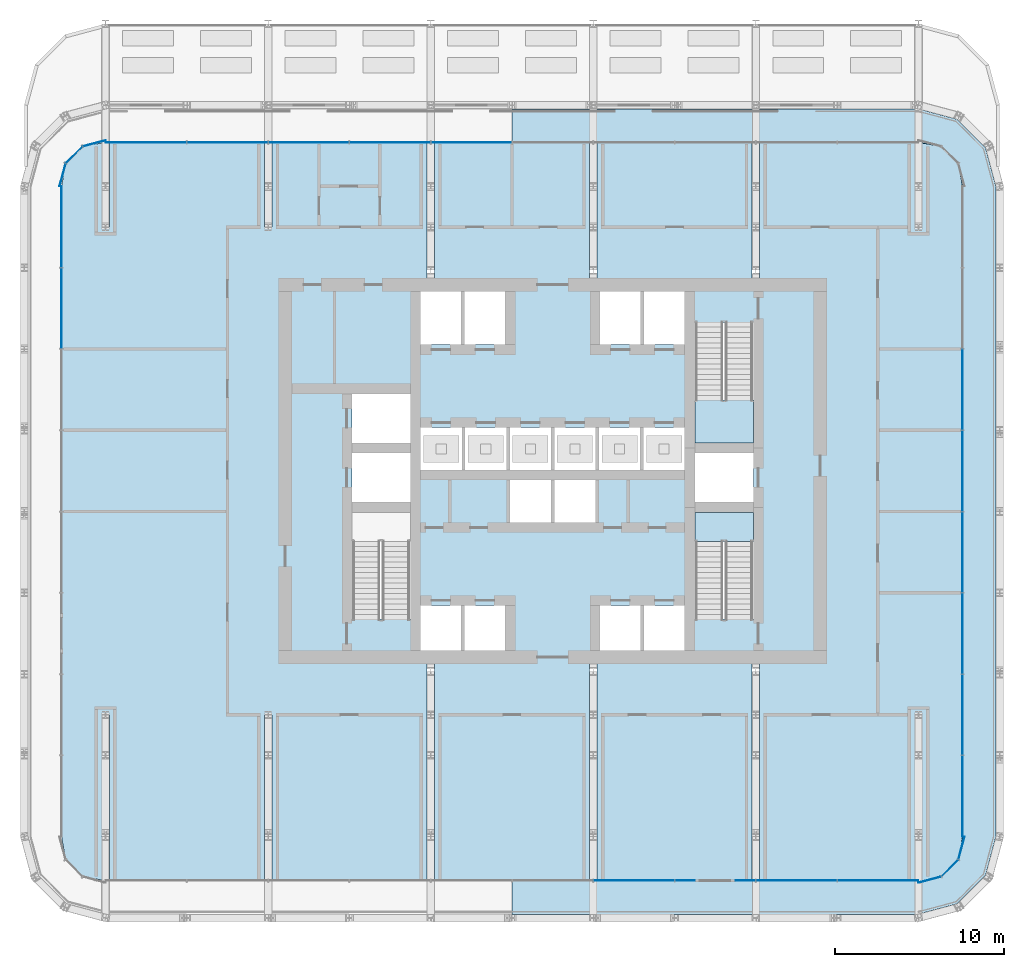
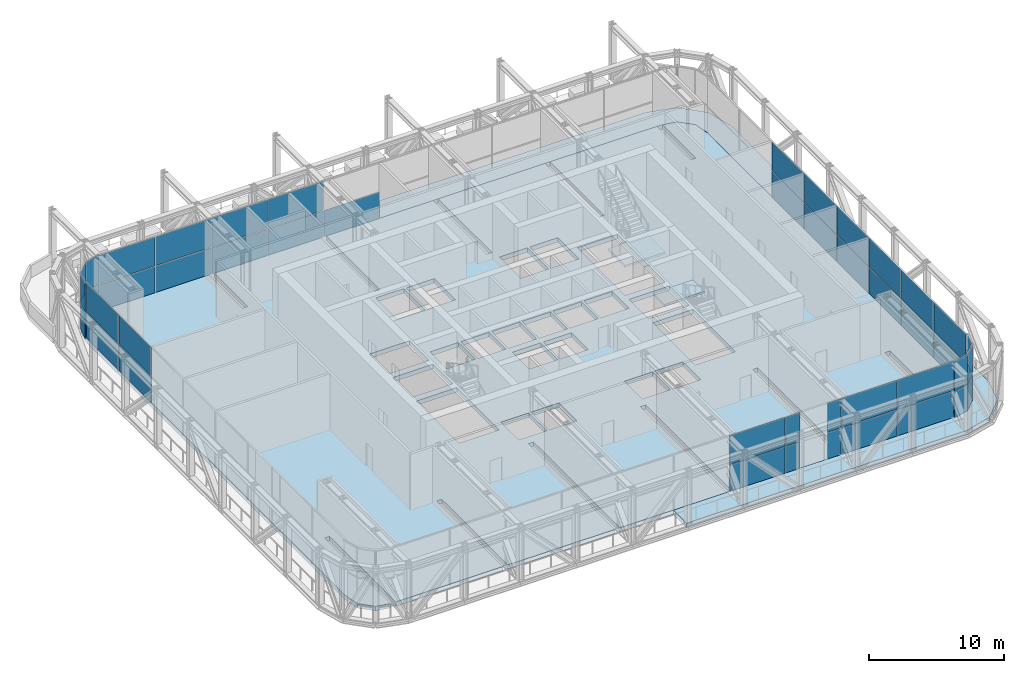
# One storey, part 14 of 27: 47 plates, 4 slabs, 8 elements without a shape of their own.
"""IFC4 building model written with IfcOpenShell, lengths in metres."""

from ifc_helpers import new_model, si_unit, direction, frame, origin, origin_2d, place, context, subcontext, project, spatial, polyline, rectangle, outline, extrude, material, layer, layer_set, type_object, element, aggregate, save


model = new_model("IFC4")

# Units and contexts
model_context = context("Model", 3, precision=1e-05, world=origin(), true_north=direction((0.0, 1.0)))
body_context = subcontext(model_context, "Body", "Model", "MODEL_VIEW")
ifc_project = project(units=[si_unit("LENGTHUNIT", "METRE"), si_unit("AREAUNIT", "SQUARE_METRE"), si_unit("VOLUMEUNIT", "CUBIC_METRE"), si_unit("PLANEANGLEUNIT", "RADIAN"), si_unit("MASSUNIT", "GRAM", prefix="KILO")], contexts=[model_context])

# Site, building, storey
site_placement = place(None, origin())
site = spatial("IfcSite", under=ifc_project, at=site_placement, CompositionType="ELEMENT")
building_placement = place(site_placement, origin())
building = spatial("IfcBuilding", under=site, at=building_placement, Name="Madar Terraces", CompositionType="ELEMENT")
storey_placement = place(building_placement, frame((0.0, 0.0, 143.60009765625)))
storey = spatial("IfcBuildingStorey", under=building, at=storey_placement, Name="L37", CompositionType="ELEMENT", Elevation=143.60009765625)

# Slab
ifc_material_1 = material(Name="Concrete C50/60", Category="concrete")
ifc_layer_1 = layer(ifc_material_1, 0.39990234375)
ifc_layer_set_1 = layer_set([ifc_layer_1], Name="FS6 PT flat slab 400")
slab_type_1 = type_object("IfcSlabType", Name="FS6 PT flat slab 400", PredefinedType="FLOOR", material=ifc_layer_set_1)
slab_1_placement = place(storey_placement, frame((0.0, 0.0, -0.400146484375)))
element("IfcSlab", 1, at=slab_1_placement, inside=storey, type_object=slab_type_1, Name="Floor slab L37 (1)", PredefinedType="FLOOR", context=body_context, shape_type="SweptSolid", body=[
    extrude(outline(polyline([(43.416015625, 15.0), (43.416015625, 2.199951171875), (52.583984375, 2.199951171875), (52.583984375, 12.0), (53.015869140625, 12.0), (53.015869140625, 2.23876953125), (54.159912109375, 2.4443359375), (55.155517578125, 3.43994140625), (55.39990234375, 4.800048828125), (55.39990234375, 43.199951171875), (55.155517578125, 44.56005859375), (54.159912109375, 45.5556640625), (53.015869140625, 45.76123046875), (53.015869140625, 40.800048828125), (52.583984375, 40.800048828125), (52.583984375, 45.800048828125), (43.416015625, 45.800048828125), (43.416015625, 37.800048828125), (42.984130859375, 37.800048828125), (42.984130859375, 45.800048828125), (33.81591796875, 45.800048828125), (33.81591796875, 37.800048828125), (33.384033203125, 37.800048828125), (33.384033203125, 45.800048828125), (24.2158203125, 45.800048828125), (24.2158203125, 37.800048828125), (23.7841796875, 37.800048828125), (23.7841796875, 45.800048828125), (14.615966796875, 45.800048828125), (14.615966796875, 40.800048828125), (14.18408203125, 40.800048828125), (14.18408203125, 45.800048828125), (5.015869140625, 45.800048828125), (5.015869140625, 40.800048828125), (4.583984375, 40.800048828125), (4.583984375, 45.76123046875), (3.43994140625, 45.5556640625), (2.4443359375, 44.56005859375), (2.199951171875, 43.199951171875), (2.199951171875, 4.800048828125), (2.4443359375, 3.43994140625), (3.43994140625, 2.4443359375), (4.583984375, 2.23876953125), (4.583984375, 12.0), (5.015869140625, 12.0), (5.015869140625, 2.199951171875), (14.18408203125, 2.199951171875), (14.18408203125, 12.0), (14.615966796875, 12.0), (14.615966796875, 2.199951171875), (23.7841796875, 2.199951171875), (23.7841796875, 15.0), (24.2158203125, 15.0), (24.2158203125, 2.199951171875), (33.384033203125, 2.199951171875), (33.384033203125, 15.0), (33.81591796875, 15.0), (33.81591796875, 2.199951171875), (42.984130859375, 2.199951171875), (42.984130859375, 15.0), (43.416015625, 15.0)]), holes=[polyline([(25.800048828125, 15.800048828125), (23.39990234375, 15.800048828125), (23.39990234375, 18.449951171875), (25.800048828125, 18.449951171875), (25.800048828125, 15.800048828125)]), polyline([(28.39990234375, 15.800048828125), (26.0, 15.800048828125), (26.0, 18.449951171875), (28.39990234375, 18.449951171875), (28.39990234375, 15.800048828125)]), polyline([(22.800048828125, 17.64990234375), (19.35009765625, 17.64990234375), (19.35009765625, 23.949951171875), (22.800048828125, 23.949951171875), (22.800048828125, 17.64990234375)]), polyline([(28.666748046875, 23.35009765625), (28.666748046875, 25.85009765625), (31.10009765625, 25.85009765625), (31.10009765625, 23.35009765625), (28.666748046875, 23.35009765625)]), polyline([(19.35009765625, 24.550048828125), (19.35009765625, 27.449951171875), (22.800048828125, 27.449951171875), (22.800048828125, 24.550048828125), (19.35009765625, 24.550048828125)]), polyline([(25.833251953125, 26.449951171875), (23.39990234375, 26.449951171875), (23.39990234375, 28.949951171875), (25.833251953125, 28.949951171875), (25.833251953125, 26.449951171875)]), polyline([(26.033447265625, 26.449951171875), (26.033447265625, 28.949951171875), (28.466552734375, 28.949951171875), (28.466552734375, 26.449951171875), (26.033447265625, 26.449951171875)]), polyline([(28.666748046875, 26.449951171875), (28.666748046875, 28.949951171875), (31.10009765625, 28.949951171875), (31.10009765625, 26.449951171875), (28.666748046875, 26.449951171875)]), polyline([(22.800048828125, 28.050048828125), (19.35009765625, 28.050048828125), (19.35009765625, 30.949951171875), (22.800048828125, 30.949951171875), (22.800048828125, 28.050048828125)]), polyline([(23.39990234375, 33.85009765625), (23.39990234375, 37.0), (25.800048828125, 37.0), (25.800048828125, 33.85009765625), (23.39990234375, 33.85009765625)]), polyline([(26.0, 33.85009765625), (26.0, 37.0), (28.39990234375, 37.0), (28.39990234375, 33.85009765625), (26.0, 33.85009765625)]), polyline([(36.39990234375, 15.800048828125), (34.0, 15.800048828125), (34.0, 18.449951171875), (36.39990234375, 18.449951171875), (36.39990234375, 15.800048828125)]), polyline([(39.0, 15.800048828125), (36.60009765625, 15.800048828125), (36.60009765625, 18.449951171875), (39.0, 18.449951171875), (39.0, 15.800048828125)]), polyline([(43.050048828125, 17.64990234375), (39.60009765625, 17.64990234375), (39.60009765625, 23.949951171875), (43.050048828125, 23.949951171875), (43.050048828125, 17.64990234375)]), polyline([(31.300048828125, 23.35009765625), (31.300048828125, 25.85009765625), (33.7333984375, 25.85009765625), (33.7333984375, 23.35009765625), (31.300048828125, 23.35009765625)]), polyline([(39.60009765625, 24.550048828125), (39.60009765625, 27.449951171875), (43.050048828125, 27.449951171875), (43.050048828125, 24.550048828125), (39.60009765625, 24.550048828125)]), polyline([(33.7333984375, 26.449951171875), (31.300048828125, 26.449951171875), (31.300048828125, 28.949951171875), (33.7333984375, 28.949951171875), (33.7333984375, 26.449951171875)]), polyline([(33.933349609375, 26.449951171875), (33.933349609375, 28.949951171875), (36.36669921875, 28.949951171875), (36.36669921875, 26.449951171875), (33.933349609375, 26.449951171875)]), polyline([(36.566650390625, 26.449951171875), (36.566650390625, 28.949951171875), (39.0, 28.949951171875), (39.0, 26.449951171875), (36.566650390625, 26.449951171875)]), polyline([(43.050048828125, 28.050048828125), (39.60009765625, 28.050048828125), (39.60009765625, 35.14990234375), (43.050048828125, 35.14990234375), (43.050048828125, 28.050048828125)]), polyline([(34.0, 33.85009765625), (34.0, 37.0), (36.39990234375, 37.0), (36.39990234375, 33.85009765625), (34.0, 33.85009765625)]), polyline([(36.60009765625, 33.85009765625), (36.60009765625, 37.0), (39.0, 37.0), (39.0, 33.85009765625), (36.60009765625, 33.85009765625)])]), origin(), (0.0, 0.0, 1.0), 0.400146484375),
])

# Curtain wall, plates
ifc_material_2 = material(Name="Glass, ceramic frit dark grey, with black aluminium frame", Category="aluminium")
ifc_layer_2 = layer(ifc_material_2, 0.199951171875)
ifc_layer_set_2 = layer_set([ifc_layer_2], Name="Facade curtain wall, tall glazing")
curtain_wall_type = type_object("IfcCurtainWallType", Name="Facade curtain wall, tall glazing", PredefinedType="NOTDEFINED", material=ifc_layer_set_2)
curtain_wall_1_placement = place(storey_placement, origin())
curtain_wall_1 = element("IfcCurtainWall", 2, at=curtain_wall_1_placement, inside=storey, type_object=curtain_wall_type, Name="Outer skin curtain wall south bay 1", PredefinedType="NOTDEFINED")
ifc_material_3 = material(Name="Glass, ceramic frit dark grey", Category="glass")
ifc_layer_3 = layer(ifc_material_3, 0.028076171875)
ifc_layer_set_3 = layer_set([ifc_layer_3], Name="Facade glass panel 28")
plate_type = type_object("IfcPlateType", Name="Facade glass panel 28", PredefinedType="CURTAIN_PANEL", material=ifc_layer_set_3)
plate_1_placement = place(storey_placement, frame((36.0, 2.199951171875, -0.000244140625), z_axis=(0.0, 0.0, 1.0), x_axis=(1.0, 0.0, 0.0)))
plate_1 = element("IfcPlate", 3, at=plate_1_placement, type_object=plate_type, Name="Panel 13", PredefinedType="CURTAIN_PANEL", context=body_context, shape_type="SweptSolid", body=[
    extrude(rectangle(XDim=4.739990234375, YDim=0.028076171875, at=origin_2d()), origin(), (0.0, 0.0, 1.0), 2.3701171875),
])
plate_2_placement = place(storey_placement, frame((36.0, 2.199951171875, 2.4296875), z_axis=(0.0, 0.0, 1.0), x_axis=(1.0, 0.0, 0.0)))
plate_2 = element("IfcPlate", 4, at=plate_2_placement, type_object=plate_type, Name="Panel 14", PredefinedType="CURTAIN_PANEL", context=body_context, shape_type="SweptSolid", body=[
    extrude(rectangle(XDim=4.739990234375, YDim=0.028076171875, at=origin_2d()), origin(), (0.0, 0.0, 1.0), 2.610107421875),
])
plate_3_placement = place(storey_placement, frame((39.014892578125, 2.199951171875, -0.000244140625), z_axis=(0.0, 0.0, 1.0), x_axis=(1.0, 0.0, 0.0)))
plate_3 = element("IfcPlate", 5, at=plate_3_placement, type_object=plate_type, Name="Panel 15", PredefinedType="CURTAIN_PANEL", context=body_context, shape_type="SweptSolid", body=[
    extrude(rectangle(XDim=1.169921875, YDim=0.028076171875, at=origin_2d()), origin(), (0.0, 0.0, 1.0), 2.3701171875),
])
plate_4_placement = place(storey_placement, frame((39.014892578125, 2.199951171875, 2.4296875), z_axis=(0.0, 0.0, 1.0), x_axis=(1.0, 0.0, 0.0)))
plate_4 = element("IfcPlate", 6, at=plate_4_placement, type_object=plate_type, Name="Panel 16", PredefinedType="CURTAIN_PANEL", context=body_context, shape_type="SweptSolid", body=[
    extrude(rectangle(XDim=1.169921875, YDim=0.028076171875, at=origin_2d()), origin(), (0.0, 0.0, 1.0), 2.610107421875),
])
plate_5_placement = place(storey_placement, frame((42.5849609375, 2.199951171875, -0.000244140625), z_axis=(0.0, 0.0, 1.0), x_axis=(1.0, 0.0, 0.0)))
plate_5 = element("IfcPlate", 7, at=plate_5_placement, type_object=plate_type, Name="Panel 17", PredefinedType="CURTAIN_PANEL", context=body_context, shape_type="SweptSolid", body=[
    extrude(rectangle(XDim=1.169921875, YDim=0.028076171875, at=origin_2d()), origin(), (0.0, 0.0, 1.0), 2.3701171875),
])
plate_6_placement = place(storey_placement, frame((42.5849609375, 2.199951171875, 2.4296875), z_axis=(0.0, 0.0, 1.0), x_axis=(1.0, 0.0, 0.0)))
plate_6 = element("IfcPlate", 8, at=plate_6_placement, type_object=plate_type, Name="Panel 18", PredefinedType="CURTAIN_PANEL", context=body_context, shape_type="SweptSolid", body=[
    extrude(rectangle(XDim=1.169921875, YDim=0.028076171875, at=origin_2d()), origin(), (0.0, 0.0, 1.0), 2.610107421875),
])
plate_7_placement = place(storey_placement, frame((45.60009765625, 2.199951171875, -0.000244140625), z_axis=(0.0, 0.0, 1.0), x_axis=(1.0, 0.0, 0.0)))
plate_7 = element("IfcPlate", 9, at=plate_7_placement, type_object=plate_type, Name="Panel 19", PredefinedType="CURTAIN_PANEL", context=body_context, shape_type="SweptSolid", body=[
    extrude(rectangle(XDim=4.739990234375, YDim=0.028076171875, at=origin_2d()), origin(), (0.0, 0.0, 1.0), 2.3701171875),
])
plate_8_placement = place(storey_placement, frame((45.60009765625, 2.199951171875, 2.4296875), z_axis=(0.0, 0.0, 1.0), x_axis=(1.0, 0.0, 0.0)))
plate_8 = element("IfcPlate", 10, at=plate_8_placement, type_object=plate_type, Name="Panel 20", PredefinedType="CURTAIN_PANEL", context=body_context, shape_type="SweptSolid", body=[
    extrude(rectangle(XDim=4.739990234375, YDim=0.028076171875, at=origin_2d()), origin(), (0.0, 0.0, 1.0), 2.610107421875),
])
plate_9_placement = place(storey_placement, frame((50.4150390625, 2.199951171875, -0.000244140625), z_axis=(0.0, 0.0, 1.0), x_axis=(1.0, 0.0, 0.0)))
plate_9 = element("IfcPlate", 11, at=plate_9_placement, type_object=plate_type, Name="Panel 21", PredefinedType="CURTAIN_PANEL", context=body_context, shape_type="SweptSolid", body=[
    extrude(rectangle(XDim=4.77001953125, YDim=0.028076171875, at=origin_2d()), origin(), (0.0, 0.0, 1.0), 2.3701171875),
])
plate_10_placement = place(storey_placement, frame((50.4150390625, 2.199951171875, 2.4296875), z_axis=(0.0, 0.0, 1.0), x_axis=(1.0, 0.0, 0.0)))
plate_10 = element("IfcPlate", 12, at=plate_10_placement, type_object=plate_type, Name="Panel 22", PredefinedType="CURTAIN_PANEL", context=body_context, shape_type="SweptSolid", body=[
    extrude(rectangle(XDim=4.77001953125, YDim=0.028076171875, at=origin_2d()), origin(), (0.0, 0.0, 1.0), 2.610107421875),
])
aggregate(curtain_wall_1, [plate_1, plate_2, plate_3, plate_4, plate_5, plate_6, plate_7, plate_8, plate_9, plate_10])

curtain_wall_2_placement = place(storey_placement, origin())
curtain_wall_2 = element("IfcCurtainWall", 13, at=curtain_wall_2_placement, inside=storey, type_object=curtain_wall_type, Name="Outer skin curtain wall east bay 1", PredefinedType="NOTDEFINED")
plate_11_placement = place(storey_placement, frame((55.39990234375, 7.18505859375, -0.000244140625), z_axis=(0.0, 0.0, 1.0), x_axis=(0.0, 1.0, 0.0)))
plate_11 = element("IfcPlate", 14, at=plate_11_placement, type_object=plate_type, Name="Panel 1", PredefinedType="CURTAIN_PANEL", context=body_context, shape_type="SweptSolid", body=[
    extrude(rectangle(XDim=4.77001953125, YDim=0.028076171875, at=origin_2d()), origin(), (0.0, 0.0, 1.0), 2.3701171875),
])
plate_12_placement = place(storey_placement, frame((55.39990234375, 7.18505859375, 2.4296875), z_axis=(0.0, 0.0, 1.0), x_axis=(0.0, 1.0, 0.0)))
plate_12 = element("IfcPlate", 15, at=plate_12_placement, type_object=plate_type, Name="Panel 2", PredefinedType="CURTAIN_PANEL", context=body_context, shape_type="SweptSolid", body=[
    extrude(rectangle(XDim=4.77001953125, YDim=0.028076171875, at=origin_2d()), origin(), (0.0, 0.0, 1.0), 2.610107421875),
])
plate_13_placement = place(storey_placement, frame((55.39990234375, 12.0, -0.000244140625), z_axis=(0.0, 0.0, 1.0), x_axis=(0.0, 1.0, 0.0)))
plate_13 = element("IfcPlate", 16, at=plate_13_placement, type_object=plate_type, Name="Panel 3", PredefinedType="CURTAIN_PANEL", context=body_context, shape_type="SweptSolid", body=[
    extrude(rectangle(XDim=4.739990234375, YDim=0.028076171875, at=origin_2d()), origin(), (0.0, 0.0, 1.0), 2.3701171875),
])
plate_14_placement = place(storey_placement, frame((55.39990234375, 12.0, 2.4296875), z_axis=(0.0, 0.0, 1.0), x_axis=(0.0, 1.0, 0.0)))
plate_14 = element("IfcPlate", 17, at=plate_14_placement, type_object=plate_type, Name="Panel 4", PredefinedType="CURTAIN_PANEL", context=body_context, shape_type="SweptSolid", body=[
    extrude(rectangle(XDim=4.739990234375, YDim=0.028076171875, at=origin_2d()), origin(), (0.0, 0.0, 1.0), 2.610107421875),
])
plate_15_placement = place(storey_placement, frame((55.39990234375, 16.800048828125, -0.000244140625), z_axis=(0.0, 0.0, 1.0), x_axis=(0.0, 1.0, 0.0)))
plate_15 = element("IfcPlate", 18, at=plate_15_placement, type_object=plate_type, Name="Panel 5", PredefinedType="CURTAIN_PANEL", context=body_context, shape_type="SweptSolid", body=[
    extrude(rectangle(XDim=4.739990234375, YDim=0.028076171875, at=origin_2d()), origin(), (0.0, 0.0, 1.0), 2.3701171875),
])
plate_16_placement = place(storey_placement, frame((55.39990234375, 16.800048828125, 2.4296875), z_axis=(0.0, 0.0, 1.0), x_axis=(0.0, 1.0, 0.0)))
plate_16 = element("IfcPlate", 19, at=plate_16_placement, type_object=plate_type, Name="Panel 6", PredefinedType="CURTAIN_PANEL", context=body_context, shape_type="SweptSolid", body=[
    extrude(rectangle(XDim=4.739990234375, YDim=0.028076171875, at=origin_2d()), origin(), (0.0, 0.0, 1.0), 2.610107421875),
])
plate_17_placement = place(storey_placement, frame((55.39990234375, 21.60009765625, -0.000244140625), z_axis=(0.0, 0.0, 1.0), x_axis=(0.0, 1.0, 0.0)))
plate_17 = element("IfcPlate", 20, at=plate_17_placement, type_object=plate_type, Name="Panel 7", PredefinedType="CURTAIN_PANEL", context=body_context, shape_type="SweptSolid", body=[
    extrude(rectangle(XDim=4.739990234375, YDim=0.028076171875, at=origin_2d()), origin(), (0.0, 0.0, 1.0), 2.3701171875),
])
plate_18_placement = place(storey_placement, frame((55.39990234375, 21.60009765625, 2.4296875), z_axis=(0.0, 0.0, 1.0), x_axis=(0.0, 1.0, 0.0)))
plate_18 = element("IfcPlate", 21, at=plate_18_placement, type_object=plate_type, Name="Panel 8", PredefinedType="CURTAIN_PANEL", context=body_context, shape_type="SweptSolid", body=[
    extrude(rectangle(XDim=4.739990234375, YDim=0.028076171875, at=origin_2d()), origin(), (0.0, 0.0, 1.0), 2.610107421875),
])
plate_19_placement = place(storey_placement, frame((55.39990234375, 26.39990234375, -0.000244140625), z_axis=(0.0, 0.0, 1.0), x_axis=(0.0, 1.0, 0.0)))
plate_19 = element("IfcPlate", 22, at=plate_19_placement, type_object=plate_type, Name="Panel 9", PredefinedType="CURTAIN_PANEL", context=body_context, shape_type="SweptSolid", body=[
    extrude(rectangle(XDim=4.739990234375, YDim=0.028076171875, at=origin_2d()), origin(), (0.0, 0.0, 1.0), 2.3701171875),
])
plate_20_placement = place(storey_placement, frame((55.39990234375, 26.39990234375, 2.4296875), z_axis=(0.0, 0.0, 1.0), x_axis=(0.0, 1.0, 0.0)))
plate_20 = element("IfcPlate", 23, at=plate_20_placement, type_object=plate_type, Name="Panel 10", PredefinedType="CURTAIN_PANEL", context=body_context, shape_type="SweptSolid", body=[
    extrude(rectangle(XDim=4.739990234375, YDim=0.028076171875, at=origin_2d()), origin(), (0.0, 0.0, 1.0), 2.610107421875),
])
plate_21_placement = place(storey_placement, frame((55.39990234375, 31.199951171875, -0.000244140625), z_axis=(0.0, 0.0, 1.0), x_axis=(0.0, 1.0, 0.0)))
plate_21 = element("IfcPlate", 24, at=plate_21_placement, type_object=plate_type, Name="Panel 11", PredefinedType="CURTAIN_PANEL", context=body_context, shape_type="SweptSolid", body=[
    extrude(rectangle(XDim=4.739990234375, YDim=0.028076171875, at=origin_2d()), origin(), (0.0, 0.0, 1.0), 2.3701171875),
])
plate_22_placement = place(storey_placement, frame((55.39990234375, 31.199951171875, 2.4296875), z_axis=(0.0, 0.0, 1.0), x_axis=(0.0, 1.0, 0.0)))
plate_22 = element("IfcPlate", 25, at=plate_22_placement, type_object=plate_type, Name="Panel 12", PredefinedType="CURTAIN_PANEL", context=body_context, shape_type="SweptSolid", body=[
    extrude(rectangle(XDim=4.739990234375, YDim=0.028076171875, at=origin_2d()), origin(), (0.0, 0.0, 1.0), 2.610107421875),
])
aggregate(curtain_wall_2, [plate_11, plate_12, plate_13, plate_14, plate_15, plate_16, plate_17, plate_18, plate_19, plate_20, plate_21, plate_22])

curtain_wall_3_placement = place(storey_placement, origin())
curtain_wall_3 = element("IfcCurtainWall", 26, at=curtain_wall_3_placement, inside=storey, type_object=curtain_wall_type, Name="Outer skin curtain wall north bay 1", PredefinedType="NOTDEFINED")
plate_23_placement = place(storey_placement, frame((26.39990234375, 45.800048828125, -0.000244140625), z_axis=(0.0, 0.0, 1.0), x_axis=(-1.0, 0.0, 0.0)))
plate_23 = element("IfcPlate", 27, at=plate_23_placement, type_object=plate_type, Name="Panel 11", PredefinedType="CURTAIN_PANEL", context=body_context, shape_type="SweptSolid", body=[
    extrude(rectangle(XDim=4.739990234375, YDim=0.028076171875, at=origin_2d()), origin(), (0.0, 0.0, 1.0), 2.3701171875),
])
plate_24_placement = place(storey_placement, frame((21.60009765625, 45.800048828125, -0.000244140625), z_axis=(0.0, 0.0, 1.0), x_axis=(-1.0, 0.0, 0.0)))
plate_24 = element("IfcPlate", 28, at=plate_24_placement, type_object=plate_type, Name="Panel 13", PredefinedType="CURTAIN_PANEL", context=body_context, shape_type="SweptSolid", body=[
    extrude(rectangle(XDim=4.739990234375, YDim=0.028076171875, at=origin_2d()), origin(), (0.0, 0.0, 1.0), 2.3701171875),
])
plate_25_placement = place(storey_placement, frame((21.60009765625, 45.800048828125, 2.4296875), z_axis=(0.0, 0.0, 1.0), x_axis=(-1.0, 0.0, 0.0)))
plate_25 = element("IfcPlate", 29, at=plate_25_placement, type_object=plate_type, Name="Panel 14", PredefinedType="CURTAIN_PANEL", context=body_context, shape_type="SweptSolid", body=[
    extrude(rectangle(XDim=4.739990234375, YDim=0.028076171875, at=origin_2d()), origin(), (0.0, 0.0, 1.0), 2.610107421875),
])
plate_26_placement = place(storey_placement, frame((16.800048828125, 45.800048828125, -0.000244140625), z_axis=(0.0, 0.0, 1.0), x_axis=(-1.0, 0.0, 0.0)))
plate_26 = element("IfcPlate", 30, at=plate_26_placement, type_object=plate_type, Name="Panel 15", PredefinedType="CURTAIN_PANEL", context=body_context, shape_type="SweptSolid", body=[
    extrude(rectangle(XDim=4.739990234375, YDim=0.028076171875, at=origin_2d()), origin(), (0.0, 0.0, 1.0), 2.3701171875),
])
plate_27_placement = place(storey_placement, frame((16.800048828125, 45.800048828125, 2.4296875), z_axis=(0.0, 0.0, 1.0), x_axis=(-1.0, 0.0, 0.0)))
plate_27 = element("IfcPlate", 31, at=plate_27_placement, type_object=plate_type, Name="Panel 16", PredefinedType="CURTAIN_PANEL", context=body_context, shape_type="SweptSolid", body=[
    extrude(rectangle(XDim=4.739990234375, YDim=0.028076171875, at=origin_2d()), origin(), (0.0, 0.0, 1.0), 2.610107421875),
])
plate_28_placement = place(storey_placement, frame((12.0, 45.800048828125, -0.000244140625), z_axis=(0.0, 0.0, 1.0), x_axis=(-1.0, 0.0, 0.0)))
plate_28 = element("IfcPlate", 32, at=plate_28_placement, type_object=plate_type, Name="Panel 17", PredefinedType="CURTAIN_PANEL", context=body_context, shape_type="SweptSolid", body=[
    extrude(rectangle(XDim=4.739990234375, YDim=0.028076171875, at=origin_2d()), origin(), (0.0, 0.0, 1.0), 2.3701171875),
])
plate_29_placement = place(storey_placement, frame((12.0, 45.800048828125, 2.4296875), z_axis=(0.0, 0.0, 1.0), x_axis=(-1.0, 0.0, 0.0)))
plate_29 = element("IfcPlate", 33, at=plate_29_placement, type_object=plate_type, Name="Panel 18", PredefinedType="CURTAIN_PANEL", context=body_context, shape_type="SweptSolid", body=[
    extrude(rectangle(XDim=4.739990234375, YDim=0.028076171875, at=origin_2d()), origin(), (0.0, 0.0, 1.0), 2.610107421875),
])
plate_30_placement = place(storey_placement, frame((7.18505859375, 45.800048828125, -0.000244140625), z_axis=(0.0, 0.0, 1.0), x_axis=(-1.0, 0.0, 0.0)))
plate_30 = element("IfcPlate", 34, at=plate_30_placement, type_object=plate_type, Name="Panel 19", PredefinedType="CURTAIN_PANEL", context=body_context, shape_type="SweptSolid", body=[
    extrude(rectangle(XDim=4.77001953125, YDim=0.028076171875, at=origin_2d()), origin(), (0.0, 0.0, 1.0), 2.3701171875),
])
plate_31_placement = place(storey_placement, frame((7.18505859375, 45.800048828125, 2.4296875), z_axis=(0.0, 0.0, 1.0), x_axis=(-1.0, 0.0, 0.0)))
plate_31 = element("IfcPlate", 35, at=plate_31_placement, type_object=plate_type, Name="Panel 20", PredefinedType="CURTAIN_PANEL", context=body_context, shape_type="SweptSolid", body=[
    extrude(rectangle(XDim=4.77001953125, YDim=0.028076171875, at=origin_2d()), origin(), (0.0, 0.0, 1.0), 2.610107421875),
])
aggregate(curtain_wall_3, [plate_23, plate_24, plate_25, plate_26, plate_27, plate_28, plate_29, plate_30, plate_31])

curtain_wall_4_placement = place(storey_placement, origin())
curtain_wall_4 = element("IfcCurtainWall", 36, at=curtain_wall_4_placement, inside=storey, type_object=curtain_wall_type, Name="Outer skin curtain wall west bay 1", PredefinedType="NOTDEFINED")
plate_32_placement = place(storey_placement, frame((2.199951171875, 40.81494140625, -0.000244140625), z_axis=(0.0, 0.0, 1.0), x_axis=(0.0, -1.0, 0.0)))
plate_32 = element("IfcPlate", 37, at=plate_32_placement, type_object=plate_type, Name="Panel 1", PredefinedType="CURTAIN_PANEL", context=body_context, shape_type="SweptSolid", body=[
    extrude(rectangle(XDim=4.77001953125, YDim=0.028076171875, at=origin_2d()), origin(), (0.0, 0.0, 1.0), 2.3701171875),
])
plate_33_placement = place(storey_placement, frame((2.199951171875, 40.81494140625, 2.4296875), z_axis=(0.0, 0.0, 1.0), x_axis=(0.0, -1.0, 0.0)))
plate_33 = element("IfcPlate", 38, at=plate_33_placement, type_object=plate_type, Name="Panel 2", PredefinedType="CURTAIN_PANEL", context=body_context, shape_type="SweptSolid", body=[
    extrude(rectangle(XDim=4.77001953125, YDim=0.028076171875, at=origin_2d()), origin(), (0.0, 0.0, 1.0), 2.610107421875),
])
plate_34_placement = place(storey_placement, frame((2.199951171875, 36.0, -0.000244140625), z_axis=(0.0, 0.0, 1.0), x_axis=(0.0, -1.0, 0.0)))
plate_34 = element("IfcPlate", 39, at=plate_34_placement, type_object=plate_type, Name="Panel 3", PredefinedType="CURTAIN_PANEL", context=body_context, shape_type="SweptSolid", body=[
    extrude(rectangle(XDim=4.739990234375, YDim=0.028076171875, at=origin_2d()), origin(), (0.0, 0.0, 1.0), 2.3701171875),
])
plate_35_placement = place(storey_placement, frame((2.199951171875, 36.0, 2.4296875), z_axis=(0.0, 0.0, 1.0), x_axis=(0.0, -1.0, 0.0)))
plate_35 = element("IfcPlate", 40, at=plate_35_placement, type_object=plate_type, Name="Panel 4", PredefinedType="CURTAIN_PANEL", context=body_context, shape_type="SweptSolid", body=[
    extrude(rectangle(XDim=4.739990234375, YDim=0.028076171875, at=origin_2d()), origin(), (0.0, 0.0, 1.0), 2.610107421875),
])
aggregate(curtain_wall_4, [plate_32, plate_33, plate_34, plate_35])

curtain_wall_5_placement = place(storey_placement, origin())
curtain_wall_5 = element("IfcCurtainWall", 41, at=curtain_wall_5_placement, inside=storey, type_object=curtain_wall_type, Name="Outer skin curtain wall south-east corner", PredefinedType="NOTDEFINED")
plate_36_placement = place(storey_placement, frame((53.465576171875, 2.25830078125, -0.000244140625), z_axis=(0.0, 0.0, 1.0), x_axis=(0.965925808834, 0.258819110244, 0.0)))
plate_36 = element("IfcPlate", 42, at=plate_36_placement, type_object=plate_type, Name="Panel 1", PredefinedType="CURTAIN_PANEL", context=body_context, shape_type="SweptSolid", body=[
    extrude(rectangle(XDim=1.3779296875, YDim=0.028076171875, at=origin_2d()), origin(), (0.0, 0.0, 1.0), 2.3701171875),
])
plate_37_placement = place(storey_placement, frame((53.465576171875, 2.25830078125, 2.4296875), z_axis=(0.0, 0.0, 1.0), x_axis=(0.965925808834, 0.258819110244, 0.0)))
plate_37 = element("IfcPlate", 43, at=plate_37_placement, type_object=plate_type, Name="Panel 2", PredefinedType="CURTAIN_PANEL", context=body_context, shape_type="SweptSolid", body=[
    extrude(rectangle(XDim=1.3779296875, YDim=0.028076171875, at=origin_2d()), origin(), (0.0, 0.0, 1.0), 2.610107421875),
])
plate_38_placement = place(storey_placement, frame((54.65771484375, 2.942138671875, -0.000244140625), z_axis=(0.0, 0.0, 1.0), x_axis=(0.707106781187, 0.707106781187, 0.0)))
plate_38 = element("IfcPlate", 44, at=plate_38_placement, type_object=plate_type, Name="Panel 3", PredefinedType="CURTAIN_PANEL", context=body_context, shape_type="SweptSolid", body=[
    extrude(rectangle(XDim=1.347900390625, YDim=0.028076171875, at=origin_2d()), origin(), (0.0, 0.0, 1.0), 2.3701171875),
])
plate_39_placement = place(storey_placement, frame((54.65771484375, 2.942138671875, 2.4296875), z_axis=(0.0, 0.0, 1.0), x_axis=(0.707106781187, 0.707106781187, 0.0)))
plate_39 = element("IfcPlate", 45, at=plate_39_placement, type_object=plate_type, Name="Panel 4", PredefinedType="CURTAIN_PANEL", context=body_context, shape_type="SweptSolid", body=[
    extrude(rectangle(XDim=1.347900390625, YDim=0.028076171875, at=origin_2d()), origin(), (0.0, 0.0, 1.0), 2.610107421875),
])
plate_40_placement = place(storey_placement, frame((55.341796875, 4.134521484375, -0.000244140625), z_axis=(0.0, 0.0, 1.0), x_axis=(0.258819110244, 0.965925808834, 0.0)))
plate_40 = element("IfcPlate", 46, at=plate_40_placement, type_object=plate_type, Name="Panel 5", PredefinedType="CURTAIN_PANEL", context=body_context, shape_type="SweptSolid", body=[
    extrude(rectangle(XDim=1.3779296875, YDim=0.028076171875, at=origin_2d()), origin(), (0.0, 0.0, 1.0), 2.3701171875),
])
plate_41_placement = place(storey_placement, frame((55.341796875, 4.134521484375, 2.4296875), z_axis=(0.0, 0.0, 1.0), x_axis=(0.258819110244, 0.965925808834, 0.0)))
plate_41 = element("IfcPlate", 47, at=plate_41_placement, type_object=plate_type, Name="Panel 6", PredefinedType="CURTAIN_PANEL", context=body_context, shape_type="SweptSolid", body=[
    extrude(rectangle(XDim=1.3779296875, YDim=0.028076171875, at=origin_2d()), origin(), (0.0, 0.0, 1.0), 2.610107421875),
])
aggregate(curtain_wall_5, [plate_36, plate_37, plate_38, plate_39, plate_40, plate_41])

curtain_wall_6_placement = place(storey_placement, origin())
curtain_wall_6 = element("IfcCurtainWall", 48, at=curtain_wall_6_placement, inside=storey, type_object=curtain_wall_type, Name="Outer skin curtain wall north-west corner", PredefinedType="NOTDEFINED")
plate_42_placement = place(storey_placement, frame((4.134521484375, 45.74169921875, -0.000244140625), z_axis=(0.0, 0.0, 1.0), x_axis=(-0.965925808834, -0.258819110244, 0.0)))
plate_42 = element("IfcPlate", 49, at=plate_42_placement, type_object=plate_type, Name="Panel 1", PredefinedType="CURTAIN_PANEL", context=body_context, shape_type="SweptSolid", body=[
    extrude(rectangle(XDim=1.3779296875, YDim=0.028076171875, at=origin_2d()), origin(), (0.0, 0.0, 1.0), 2.3701171875),
])
plate_43_placement = place(storey_placement, frame((4.134521484375, 45.74169921875, 2.4296875), z_axis=(0.0, 0.0, 1.0), x_axis=(-0.965925808834, -0.258819110244, 0.0)))
plate_43 = element("IfcPlate", 50, at=plate_43_placement, type_object=plate_type, Name="Panel 2", PredefinedType="CURTAIN_PANEL", context=body_context, shape_type="SweptSolid", body=[
    extrude(rectangle(XDim=1.3779296875, YDim=0.028076171875, at=origin_2d()), origin(), (0.0, 0.0, 1.0), 2.610107421875),
])
plate_44_placement = place(storey_placement, frame((2.942138671875, 45.057861328125, -0.000244140625), z_axis=(0.0, 0.0, 1.0), x_axis=(-0.707106781187, -0.707106781187, 0.0)))
plate_44 = element("IfcPlate", 51, at=plate_44_placement, type_object=plate_type, Name="Panel 3", PredefinedType="CURTAIN_PANEL", context=body_context, shape_type="SweptSolid", body=[
    extrude(rectangle(XDim=1.347900390625, YDim=0.028076171875, at=origin_2d()), origin(), (0.0, 0.0, 1.0), 2.3701171875),
])
plate_45_placement = place(storey_placement, frame((2.942138671875, 45.057861328125, 2.4296875), z_axis=(0.0, 0.0, 1.0), x_axis=(-0.707106781187, -0.707106781187, 0.0)))
plate_45 = element("IfcPlate", 52, at=plate_45_placement, type_object=plate_type, Name="Panel 4", PredefinedType="CURTAIN_PANEL", context=body_context, shape_type="SweptSolid", body=[
    extrude(rectangle(XDim=1.347900390625, YDim=0.028076171875, at=origin_2d()), origin(), (0.0, 0.0, 1.0), 2.610107421875),
])
plate_46_placement = place(storey_placement, frame((2.25830078125, 43.865478515625, -0.000244140625), z_axis=(0.0, 0.0, 1.0), x_axis=(-0.258819110244, -0.965925808834, 0.0)))
plate_46 = element("IfcPlate", 53, at=plate_46_placement, type_object=plate_type, Name="Panel 5", PredefinedType="CURTAIN_PANEL", context=body_context, shape_type="SweptSolid", body=[
    extrude(rectangle(XDim=1.3779296875, YDim=0.028076171875, at=origin_2d()), origin(), (0.0, 0.0, 1.0), 2.3701171875),
])
plate_47_placement = place(storey_placement, frame((2.25830078125, 43.865478515625, 2.4296875), z_axis=(0.0, 0.0, 1.0), x_axis=(-0.258819110244, -0.965925808834, 0.0)))
plate_47 = element("IfcPlate", 54, at=plate_47_placement, type_object=plate_type, Name="Panel 6", PredefinedType="CURTAIN_PANEL", context=body_context, shape_type="SweptSolid", body=[
    extrude(rectangle(XDim=1.3779296875, YDim=0.028076171875, at=origin_2d()), origin(), (0.0, 0.0, 1.0), 2.610107421875),
])
aggregate(curtain_wall_6, [plate_42, plate_43, plate_44, plate_45, plate_46, plate_47])

# Stair, slab
ifc_material_4 = material(Name="Concrete C50/60", Category="concrete")
stair_type_1 = type_object("IfcStairType", Name="Stair ST2 protected exit", PredefinedType="HALF_TURN_STAIR", material=ifc_material_4)
stair_1_placement = place(storey_placement, origin())
stair_1 = element("IfcStair", 55, at=stair_1_placement, inside=storey, type_object=stair_type_1, Name="L37 Protected Exit Stair ST2", PredefinedType="HALF_TURN_STAIR")
ifc_material_5 = material(Name="Concrete C50/60", Category="concrete")
ifc_layer_4 = layer(ifc_material_5, 0.199951171875)
ifc_layer_set_4 = layer_set([ifc_layer_4], Name="Stair landing 200, top +2.70")
slab_type_2 = type_object("IfcSlabType", Name="Stair landing 200, top +2.70", PredefinedType="LANDING", material=ifc_layer_set_4)
slab_2_placement = place(storey_placement, frame((0.0, 0.0, 2.5)))
slab_2 = element("IfcSlab", 56, at=slab_2_placement, type_object=slab_type_2, Name="ST2 landing 1", PredefinedType="LANDING", context=body_context, shape_type="SweptSolid", body=[
    extrude(outline(polyline([(39.60009765625, 28.050048828125), (43.050048828125, 28.050048828125), (43.050048828125, 30.580078125), (39.60009765625, 30.580078125), (39.60009765625, 28.050048828125)])), origin(), (0.0, 0.0, 1.0), 0.199951171875),
])
aggregate(stair_1, [slab_2])

ifc_material_6 = material(Name="Concrete C50/60", Category="concrete")
stair_type_2 = type_object("IfcStairType", Name="Stair ST3 protected exit", PredefinedType="HALF_TURN_STAIR", material=ifc_material_6)
stair_2_placement = place(storey_placement, origin())
stair_2 = element("IfcStair", 57, at=stair_2_placement, inside=storey, type_object=stair_type_2, Name="L37 Protected Exit Stair ST3", PredefinedType="HALF_TURN_STAIR")
slab_3_placement = place(storey_placement, frame((0.0, 0.0, 2.5)))
slab_3 = element("IfcSlab", 58, at=slab_3_placement, type_object=slab_type_2, Name="ST3 landing 1", PredefinedType="LANDING", context=body_context, shape_type="SweptSolid", body=[
    extrude(outline(polyline([(39.60009765625, 22.219970703125), (43.050048828125, 22.219970703125), (43.050048828125, 23.949951171875), (39.60009765625, 23.949951171875), (39.60009765625, 22.219970703125)])), origin(), (0.0, 0.0, 1.0), 0.199951171875),
])
aggregate(stair_2, [slab_3])

# Slab
ifc_material_7 = material(Name="Concrete C50/60", Category="concrete")
ifc_layer_5 = layer(ifc_material_7, 0.39990234375)
ifc_layer_set_5 = layer_set([ifc_layer_5], Name="TS1 PT terrace slab 400")
slab_type_3 = type_object("IfcSlabType", Name="TS1 PT terrace slab 400", PredefinedType="FLOOR", material=ifc_layer_set_5)
slab_4_placement = place(storey_placement, frame((0.0, 0.0, -0.400146484375)))
element("IfcSlab", 59, at=slab_4_placement, inside=storey, type_object=slab_type_3, Name="Gallery slab L37 (2)", PredefinedType="FLOOR", context=body_context, shape_type="SweptSolid", body=[
    extrude(outline(polyline([(28.800048828125, 47.7841796875), (28.800048828125, 45.800048828125), (52.800048828125, 45.800048828125), (54.159912109375, 45.5556640625), (55.155517578125, 44.56005859375), (55.39990234375, 43.199951171875), (55.39990234375, 4.800048828125), (55.155517578125, 3.43994140625), (54.159912109375, 2.4443359375), (52.800048828125, 2.199951171875), (28.800048828125, 2.199951171875), (28.800048828125, 0.2158203125), (52.771484375, 0.2158203125), (55.088134765625, 0.836669921875), (56.763427734375, 2.51171875), (57.384033203125, 4.828369140625), (57.384033203125, 43.171630859375), (56.763427734375, 45.48828125), (55.088134765625, 47.163330078125), (52.771484375, 47.7841796875), (28.800048828125, 47.7841796875)])), origin(), (0.0, 0.0, 1.0), 0.400146484375),
])

save(model, "model.ifc")
